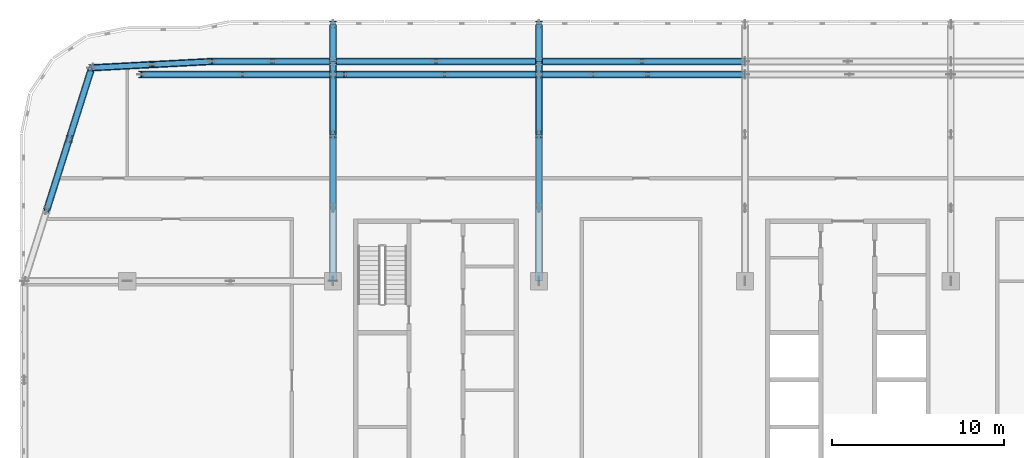
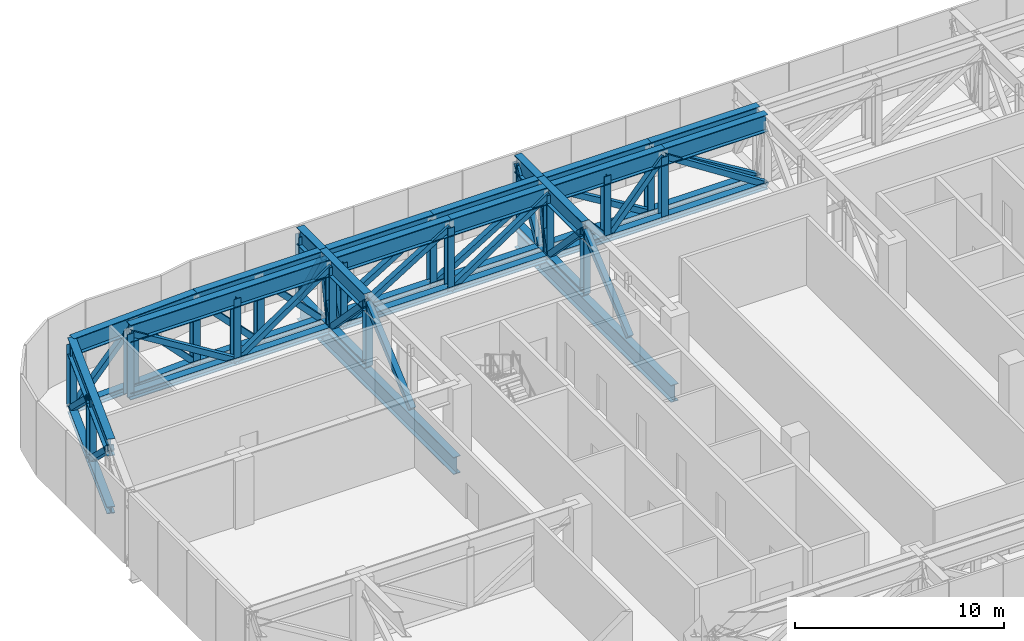
# One storey, part 7 of 29: 73 members, 4 beams.
"""IFC4 building model written with IfcOpenShell, lengths in metres."""

from ifc_helpers import new_model, si_unit, direction, frame, origin, origin_2d, place, context, subcontext, project, spatial, hollow_rectangle, i_section, extrude, material, material_profile, profile_set, type_object, element, save


model = new_model("IFC4")

# Units and contexts
model_context = context("Model", 3, precision=1e-05, world=origin(), true_north=direction((0.0, 1.0)))
body_context = subcontext(model_context, "Body", "Model", "MODEL_VIEW")
ifc_project = project(units=[si_unit("LENGTHUNIT", "METRE"), si_unit("AREAUNIT", "SQUARE_METRE"), si_unit("VOLUMEUNIT", "CUBIC_METRE"), si_unit("PLANEANGLEUNIT", "RADIAN"), si_unit("MASSUNIT", "GRAM", prefix="KILO")], contexts=[model_context])

# Site, building, storey
site_placement = place(None, origin())
site = spatial("IfcSite", under=ifc_project, at=site_placement, CompositionType="ELEMENT")
building_placement = place(site_placement, origin())
building = spatial("IfcBuilding", under=site, at=building_placement, Name="Mahtab Terrace Research Tower", CompositionType="ELEMENT")
storey_placement = place(building_placement, frame((0.0, 0.0, 259.0)))
storey = spatial("IfcBuildingStorey", under=building, at=storey_placement, Name="L63", CompositionType="ELEMENT", Elevation=259.0)

# Members
ifc_material_1 = material(Name="Steel ASTM A500 Gr C", Category="steel")
ifc_material_profile_1 = material_profile(ifc_material_1, hollow_rectangle(XDim=0.3046875, YDim=0.3046875, WallThickness=0.0126953125, at=origin_2d()), Name="HSS12X12X1/2")
ifc_profile_set_1 = profile_set([ifc_material_profile_1], Name="Steel ASTM A500 Gr C")
member_type_1 = type_object("IfcMemberType", Name="HSS 12x12x1/2 brace TD121212", PredefinedType="BRACE", material=ifc_profile_set_1)
member_1_placement = place(storey_placement, frame((-45.381103515625, 19.791015625, -0.19677734375), z_axis=(-0.23058559072, -0.729707765003, 0.643705571707), x_axis=(0.953525778361, -0.301311450165, 0.0)))
element("IfcMember", 1, at=member_1_placement, inside=storey, type_object=member_type_1, Name="Transfer truss T7 diagonal 009", PredefinedType="BRACE", context=body_context, shape_type="SweptSolid", body=[
    extrude(hollow_rectangle(XDim=0.3046875, YDim=0.3046875, WallThickness=0.0126953125, at=origin_2d()), origin(), (0.0, 0.0, 1.0), 5.680419921875),
])
member_2_placement = place(storey_placement, frame((-44.072021484375, 23.93701171875, -0.19677734375), z_axis=(-0.230434590717, -0.72980981342, 0.643643950983), x_axis=(0.953594545685, -0.301093743609, 0.0)))
element("IfcMember", 2, at=member_2_placement, inside=storey, type_object=member_type_1, Name="Transfer truss T7 diagonal 011", PredefinedType="BRACE", context=body_context, shape_type="SweptSolid", body=[
    extrude(hollow_rectangle(XDim=0.3046875, YDim=0.3046875, WallThickness=0.0126953125, at=origin_2d()), origin(), (0.0, 0.0, 1.0), 5.680908203125),
])
member_3_placement = place(storey_placement, frame((-35.260009765625, 23.5458984375, -0.19677734375), z_axis=(-0.849761419827, 0.0, 0.527167458568), x_axis=(0.0, -1.0, 0.0)))
element("IfcMember", 3, at=member_3_placement, inside=storey, type_object=member_type_1, Name="Transfer truss T7 diagonal 018", PredefinedType="BRACE", context=body_context, shape_type="SweptSolid", body=[
    extrude(hollow_rectangle(XDim=0.3046875, YDim=0.3046875, WallThickness=0.0126953125, at=origin_2d()), origin(), (0.0, 0.0, 1.0), 6.93603515625),
])
for number, where, z_axis, x_axis, name in (
    (4, (-44.072021484375, 23.93701171875, -0.19677734375), (0.691746481149, 0.036501485048, 0.721217337151), (-0.052693833754, 0.998610714886, 0.0), "Transfer truss T7 diagonal 020"),
    (5, (-37.05810546875, 24.306884765625, -0.19677734375), (-0.691722582841, -0.036454608411, 0.721242629018), (0.052628162958, -0.99861417798, 0.0), "Transfer truss T7 diagonal 021"),
):
    element("IfcMember", number, at=place(storey_placement, frame(where, z_axis=z_axis, x_axis=x_axis)), inside=storey, type_object=member_type_1, Name=name, PredefinedType="BRACE", context=body_context, shape_type="SweptSolid", body=[
        extrude(hollow_rectangle(XDim=0.3046875, YDim=0.3046875, WallThickness=0.0126953125, at=origin_2d()), origin(), (0.0, 0.0, 1.0), 5.06982421875),
    ])
member_4_placement = place(storey_placement, frame((-35.260009765625, 23.5458984375, -0.19677734375), z_axis=(0.821098573405, 0.0, 0.570786416054), x_axis=(0.0, 1.0, 0.0)))
element("IfcMember", 6, at=member_4_placement, inside=storey, type_object=member_type_1, Name="Transfer truss T7 diagonal 025", PredefinedType="BRACE", context=body_context, shape_type="SweptSolid", body=[
    extrude(hollow_rectangle(XDim=0.3046875, YDim=0.3046875, WallThickness=0.0126953125, at=origin_2d()), origin(), (0.0, 0.0, 1.0), 6.406005859375),
])
member_5_placement = place(storey_placement, frame((-33.529052734375, 24.306884765625, -0.19677734375), z_axis=(-0.694456463301, 0.0, 0.719534725068), x_axis=(0.0, -1.0, 0.0)))
element("IfcMember", 7, at=member_5_placement, inside=storey, type_object=member_type_1, Name="Transfer truss T7 diagonal 027", PredefinedType="BRACE", context=body_context, shape_type="SweptSolid", body=[
    extrude(hollow_rectangle(XDim=0.3046875, YDim=0.3046875, WallThickness=0.0126953125, at=origin_2d()), origin(), (0.0, 0.0, 1.0), 5.081787109375),
])
member_6_placement = place(storey_placement, frame((-30.0, 15.76904296875, -0.19677734375), z_axis=(0.0, 0.759492630748, 0.650515905908), x_axis=(-1.0, 0.0, 0.0)))
element("IfcMember", 8, at=member_6_placement, inside=storey, type_object=member_type_1, Name="Transfer truss T7 diagonal 033", PredefinedType="BRACE", context=body_context, shape_type="SweptSolid", body=[
    extrude(hollow_rectangle(XDim=0.3046875, YDim=0.3046875, WallThickness=0.0126953125, at=origin_2d()), origin(), (0.0, 0.0, 1.0), 5.620849609375),
])
member_7_placement = place(storey_placement, frame((-30.0, 23.5458984375, -0.19677734375), z_axis=(0.0, -0.692283052503, 0.721626063289), x_axis=(1.0, 0.0, 0.0)))
element("IfcMember", 9, at=member_7_placement, inside=storey, type_object=member_type_1, Name="Transfer truss T7 diagonal 034", PredefinedType="BRACE", context=body_context, shape_type="SweptSolid", body=[
    extrude(hollow_rectangle(XDim=0.3046875, YDim=0.3046875, WallThickness=0.0126953125, at=origin_2d()), origin(), (0.0, 0.0, 1.0), 5.067138671875),
])
member_8_placement = place(storey_placement, frame((-30.0, 23.5458984375, -0.19677734375), z_axis=(0.0, 0.203753250193, 0.979022274024), x_axis=(-1.0, 0.0, 0.0)))
element("IfcMember", 10, at=member_8_placement, inside=storey, type_object=member_type_1, Name="Transfer truss T7 diagonal 035", PredefinedType="BRACE", context=body_context, shape_type="SweptSolid", body=[
    extrude(hollow_rectangle(XDim=0.3046875, YDim=0.3046875, WallThickness=0.0126953125, at=origin_2d()), origin(), (0.0, 0.0, 1.0), 3.73486328125),
])
member_9_placement = place(storey_placement, frame((-29.365966796875, 23.5458984375, -0.19677734375), z_axis=(-0.170849740062, 0.0, 0.985297095459), x_axis=(0.0, -1.0, 0.0)))
element("IfcMember", 11, at=member_9_placement, inside=storey, type_object=member_type_1, Name="Transfer truss T7 diagonal 036", PredefinedType="BRACE", context=body_context, shape_type="SweptSolid", body=[
    extrude(hollow_rectangle(XDim=0.3046875, YDim=0.3046875, WallThickness=0.0126953125, at=origin_2d()), origin(), (0.0, 0.0, 1.0), 3.7109375),
])
member_10_placement = place(storey_placement, frame((-30.0, 24.306884765625, -0.19677734375), z_axis=(-0.694456463301, 0.0, 0.719534725068), x_axis=(0.0, -1.0, 0.0)))
element("IfcMember", 12, at=member_10_placement, inside=storey, type_object=member_type_1, Name="Transfer truss T7 diagonal 037", PredefinedType="BRACE", context=body_context, shape_type="SweptSolid", body=[
    extrude(hollow_rectangle(XDim=0.3046875, YDim=0.3046875, WallThickness=0.0126953125, at=origin_2d()), origin(), (0.0, 0.0, 1.0), 5.081787109375),
])
member_11_placement = place(storey_placement, frame((-30.0, 26.472900390625, -0.19677734375), z_axis=(0.0, -0.50966381265, 0.860373638645), x_axis=(1.0, 0.0, 0.0)))
element("IfcMember", 13, at=member_11_placement, inside=storey, type_object=member_type_1, Name="Transfer truss T7 diagonal 038", PredefinedType="BRACE", context=body_context, shape_type="SweptSolid", body=[
    extrude(hollow_rectangle(XDim=0.3046875, YDim=0.3046875, WallThickness=0.0126953125, at=origin_2d()), origin(), (0.0, 0.0, 1.0), 4.25),
])
member_12_placement = place(storey_placement, frame((-29.365966796875, 23.5458984375, -0.19677734375), z_axis=(0.849800540202, 0.0, 0.527104393714), x_axis=(0.0, 1.0, 0.0)))
element("IfcMember", 14, at=member_12_placement, inside=storey, type_object=member_type_1, Name="Transfer truss T7 diagonal 039", PredefinedType="BRACE", context=body_context, shape_type="SweptSolid", body=[
    extrude(hollow_rectangle(XDim=0.3046875, YDim=0.3046875, WallThickness=0.0126953125, at=origin_2d()), origin(), (0.0, 0.0, 1.0), 6.93701171875),
])
member_13_placement = place(storey_placement, frame((-30.0, 24.306884765625, -0.19677734375), z_axis=(0.853925355754, 0.0, 0.520395509974), x_axis=(0.0, 1.0, 0.0)))
element("IfcMember", 15, at=member_13_placement, inside=storey, type_object=member_type_1, Name="Transfer truss T7 diagonal 042", PredefinedType="BRACE", context=body_context, shape_type="SweptSolid", body=[
    extrude(hollow_rectangle(XDim=0.3046875, YDim=0.3046875, WallThickness=0.0126953125, at=origin_2d()), origin(), (0.0, 0.0, 1.0), 7.0263671875),
])
member_14_placement = place(storey_placement, frame((-23.470947265625, 23.5458984375, -0.19677734375), z_axis=(0.831404738695, 0.0, 0.555667310966), x_axis=(0.0, 1.0, 0.0)))
element("IfcMember", 16, at=member_14_placement, inside=storey, type_object=member_type_1, Name="Transfer truss T7 diagonal 043", PredefinedType="BRACE", context=body_context, shape_type="SweptSolid", body=[
    extrude(hollow_rectangle(XDim=0.3046875, YDim=0.3046875, WallThickness=0.0126953125, at=origin_2d()), origin(), (0.0, 0.0, 1.0), 6.580322265625),
])
member_15_placement = place(storey_placement, frame((-18.0, 15.76904296875, -0.19677734375), z_axis=(0.0, 0.759492630748, 0.650515905908), x_axis=(-1.0, 0.0, 0.0)))
element("IfcMember", 17, at=member_15_placement, inside=storey, type_object=member_type_1, Name="Transfer truss T7 diagonal 049", PredefinedType="BRACE", context=body_context, shape_type="SweptSolid", body=[
    extrude(hollow_rectangle(XDim=0.3046875, YDim=0.3046875, WallThickness=0.0126953125, at=origin_2d()), origin(), (0.0, 0.0, 1.0), 5.620849609375),
])
member_16_placement = place(storey_placement, frame((-18.0, 23.5458984375, -0.19677734375), z_axis=(0.0, -0.692283052503, 0.721626063289), x_axis=(1.0, 0.0, 0.0)))
element("IfcMember", 18, at=member_16_placement, inside=storey, type_object=member_type_1, Name="Transfer truss T7 diagonal 050", PredefinedType="BRACE", context=body_context, shape_type="SweptSolid", body=[
    extrude(hollow_rectangle(XDim=0.3046875, YDim=0.3046875, WallThickness=0.0126953125, at=origin_2d()), origin(), (0.0, 0.0, 1.0), 5.067138671875),
])
member_17_placement = place(storey_placement, frame((-18.0, 23.5458984375, -0.19677734375), z_axis=(0.0, 0.203753250193, 0.979022274024), x_axis=(-1.0, 0.0, 0.0)))
element("IfcMember", 19, at=member_17_placement, inside=storey, type_object=member_type_1, Name="Transfer truss T7 diagonal 051", PredefinedType="BRACE", context=body_context, shape_type="SweptSolid", body=[
    extrude(hollow_rectangle(XDim=0.3046875, YDim=0.3046875, WallThickness=0.0126953125, at=origin_2d()), origin(), (0.0, 0.0, 1.0), 3.73486328125),
])
member_18_placement = place(storey_placement, frame((-24.0, 24.306884765625, -0.19677734375), z_axis=(0.853925355754, 0.0, 0.520395509974), x_axis=(0.0, 1.0, 0.0)))
element("IfcMember", 20, at=member_18_placement, inside=storey, type_object=member_type_1, Name="Transfer truss T7 diagonal 052", PredefinedType="BRACE", context=body_context, shape_type="SweptSolid", body=[
    extrude(hollow_rectangle(XDim=0.3046875, YDim=0.3046875, WallThickness=0.0126953125, at=origin_2d()), origin(), (0.0, 0.0, 1.0), 7.0263671875),
])
member_19_placement = place(storey_placement, frame((-18.0, 24.306884765625, -0.19677734375), z_axis=(0.0, 0.50966381265, 0.860373638645), x_axis=(-1.0, 0.0, 0.0)))
element("IfcMember", 21, at=member_19_placement, inside=storey, type_object=member_type_1, Name="Transfer truss T7 diagonal 053", PredefinedType="BRACE", context=body_context, shape_type="SweptSolid", body=[
    extrude(hollow_rectangle(XDim=0.3046875, YDim=0.3046875, WallThickness=0.0126953125, at=origin_2d()), origin(), (0.0, 0.0, 1.0), 4.25),
])
for number, where, z_axis, x_axis, name in (
    (22, (-14.841552734375, 23.5458984375, -0.19677734375), (-0.653686960033, 0.0, 0.756765061484), (0.0, -1.0, 0.0), "Transfer truss T7 diagonal 054"),
    (23, (-14.841552734375, 23.5458984375, -0.19677734375), (0.653686960033, 0.0, 0.756765061484), (0.0, 1.0, 0.0), "Transfer truss T7 diagonal 055"),
):
    element("IfcMember", number, at=place(storey_placement, frame(where, z_axis=z_axis, x_axis=x_axis)), inside=storey, type_object=member_type_1, Name=name, PredefinedType="BRACE", context=body_context, shape_type="SweptSolid", body=[
        extrude(hollow_rectangle(XDim=0.3046875, YDim=0.3046875, WallThickness=0.0126953125, at=origin_2d()), origin(), (0.0, 0.0, 1.0), 4.831787109375),
    ])
member_20_placement = place(storey_placement, frame((-12.0, 24.306884765625, -0.19677734375), z_axis=(-0.853925355754, 0.0, 0.520395509974), x_axis=(0.0, -1.0, 0.0)))
element("IfcMember", 24, at=member_20_placement, inside=storey, type_object=member_type_1, Name="Transfer truss T7 diagonal 059", PredefinedType="BRACE", context=body_context, shape_type="SweptSolid", body=[
    extrude(hollow_rectangle(XDim=0.3046875, YDim=0.3046875, WallThickness=0.0126953125, at=origin_2d()), origin(), (0.0, 0.0, 1.0), 7.0263671875),
])
member_21_placement = place(storey_placement, frame((-6.0, 23.5458984375, -0.19677734375), z_axis=(-0.840971823089, 0.0, 0.541078915474), x_axis=(0.0, -1.0, 0.0)))
element("IfcMember", 25, at=member_21_placement, inside=storey, type_object=member_type_1, Name="Transfer truss T7 diagonal 060", PredefinedType="BRACE", context=body_context, shape_type="SweptSolid", body=[
    extrude(hollow_rectangle(XDim=0.3046875, YDim=0.3046875, WallThickness=0.0126953125, at=origin_2d()), origin(), (0.0, 0.0, 1.0), 6.7578125),
])
member_22_placement = place(storey_placement, frame((-6.0, 24.306884765625, -0.19677734375), z_axis=(-0.853925355754, 0.0, 0.520395509974), x_axis=(0.0, -1.0, 0.0)))
element("IfcMember", 26, at=member_22_placement, inside=storey, type_object=member_type_1, Name="Transfer truss T7 diagonal 069", PredefinedType="BRACE", context=body_context, shape_type="SweptSolid", body=[
    extrude(hollow_rectangle(XDim=0.3046875, YDim=0.3046875, WallThickness=0.0126953125, at=origin_2d()), origin(), (0.0, 0.0, 1.0), 7.0263671875),
])
ifc_material_2 = material(Name="Steel ASTM A992 Gr 50", Category="steel")
ifc_material_profile_2 = material_profile(ifc_material_2, i_section(OverallWidth=0.373291015625, OverallDepth=0.373291015625, WebThickness=0.016357421875, FlangeThickness=0.026123046875, at=origin_2d()), Name="W14X132")
ifc_profile_set_2 = profile_set([ifc_material_profile_2], Name="Steel ASTM A992 Gr 50")
member_type_2 = type_object("IfcMemberType", Name="W14x132 post TP14132", PredefinedType="POST", material=ifc_profile_set_2)
for number, where, z_axis, x_axis, name in (
    (27, (-45.3798828125, 19.7900390625, -0.19677734375), (0.0, 0.0, 1.0), (1.0, 0.0, 0.0), "Transfer truss T7 post 007"),
    (28, (-44.070068359375, 23.93994140625, -0.19677734375), (0.0, 0.0, 1.0), (1.0, 0.0, 0.0), "Transfer truss T7 post 009"),
    (29, (-41.14990234375, 23.550048828125, -0.19677734375), (0.0, 0.0, 1.0), (1.0, 0.0, 0.0), "Transfer truss T7 post 015"),
    (30, (-40.56005859375, 24.1201171875, -0.19677734375), (0.0, 0.0, 1.0), (1.0, 0.0, 0.0), "Transfer truss T7 post 017"),
    (31, (-37.06005859375, 24.31005859375, -0.19677734375), (0.0, 0.0, 1.0), (1.0, 0.0, 0.0), "Transfer truss T7 post 018"),
    (32, (-35.260009765625, 23.550048828125, -0.19677734375), (0.0, 0.0, 1.0), (1.0, 0.0, 0.0), "Transfer truss T7 post 022"),
    (33, (-33.530029296875, 24.31005859375, -0.19677734375), (0.0, 0.0, 1.0), (1.0, 0.0, 0.0), "Transfer truss T7 post 024"),
    (34, (-30.0, 20.0400390625, -0.19677734375), (0.0, 0.0, 1.0), (1.0, 0.0, 0.0), "Transfer truss T7 post 031"),
    (35, (-30.0, 23.550048828125, -0.19677734375), (0.0, 0.0, 1.0), (1.0, 0.0, 0.0), "Transfer truss T7 post 032"),
    (36, (-30.0, 26.469970703125, -0.19677734375), (0.0, 0.0, 1.0), (1.0, 0.0, 0.0), "Transfer truss T7 post 034"),
    (37, (-29.3701171875, 23.550048828125, -0.19677734375), (0.0, 0.0, 1.0), (1.0, 0.0, 0.0), "Transfer truss T7 post 035"),
    (38, (-24.0, 24.31005859375, -0.19677734375), (0.0, 0.0, 1.0), (1.0, 0.0, 0.0), "Transfer truss T7 post 038"),
    (39, (-23.469970703125, 23.550048828125, -0.19677734375), (0.0, 0.0, 1.0), (1.0, 0.0, 0.0), "Transfer truss T7 post 039"),
    (40, (-18.0, 20.0400390625, -0.19677734375), (0.0, 0.0, 1.0), (1.0, 0.0, 0.0), "Transfer truss T7 post 046"),
    (41, (-18.0, 23.550048828125, -0.19677734375), (0.0, 0.0, 1.0), (1.0, 0.0, 0.0), "Transfer truss T7 post 047"),
    (42, (-18.0, 26.469970703125, -0.19677734375), (0.0, 0.0, 1.0), (1.0, 0.0, 0.0), "Transfer truss T7 post 049"),
    (43, (-14.840087890625, 23.550048828125, -0.19677734375), (0.0, 0.0, 1.0), (1.0, 0.0, 0.0), "Transfer truss T7 post 050"),
    (44, (-12.0, 24.31005859375, -0.19677734375), (0.0, 0.0, 1.0), (1.0, 0.0, 0.0), "Transfer truss T7 post 053"),
    (45, (-11.679931640625, 23.550048828125, -0.19677734375), (0.0, 0.0, 1.0), (1.0, 0.0, 0.0), "Transfer truss T7 post 054"),
):
    element("IfcMember", number, at=place(storey_placement, frame(where, z_axis=z_axis, x_axis=x_axis)), inside=storey, type_object=member_type_2, Name=name, PredefinedType="POST", context=body_context, shape_type="SweptSolid", body=[
        extrude(i_section(OverallWidth=0.373291015625, OverallDepth=0.373291015625, WebThickness=0.016357421875, FlangeThickness=0.026123046875, at=origin_2d()), origin(), (0.0, 0.0, 1.0), 3.656494140625),
    ])
ifc_material_profile_3 = material_profile(ifc_material_2, i_section(OverallWidth=0.40380859375, OverallDepth=0.406494140625, WebThickness=0.027099609375, FlangeThickness=0.043701171875, at=origin_2d()), Name="W14X233")
ifc_profile_set_3 = profile_set([ifc_material_profile_3], Name="Steel ASTM A992 Gr 50")
member_type_3 = type_object("IfcMemberType", Name="W14x233 chord TC14233", PredefinedType="CHORD", material=ifc_profile_set_3)
member_23_placement = place(storey_placement, frame((-44.072021484375, 23.93701171875, -0.19677734375), z_axis=(-0.301202589953, -0.953560171046, 0.0), x_axis=(0.953560171046, -0.301202589953, 0.0)))
element("IfcMember", 46, at=member_23_placement, inside=storey, type_object=member_type_3, Name="Transfer truss T7 bottom chord 007", PredefinedType="CHORD", context=body_context, shape_type="SweptSolid", body=[
    extrude(i_section(OverallWidth=0.40380859375, OverallDepth=0.406494140625, WebThickness=0.027099609375, FlangeThickness=0.043701171875, at=origin_2d()), origin(), (0.0, 0.0, 1.0), 8.69482421875),
])
for number, where, z_axis, x_axis, name in (
    (47, (-6.0, 24.306884765625, -0.19677734375), (-1.0, 0.0, 0.0), (0.0, -1.0, 0.0), "Transfer truss T7 bottom chord 014"),
    (48, (-18.0, 24.306884765625, -0.19677734375), (-1.0, 0.0, 0.0), (0.0, -1.0, 0.0), "Transfer truss T7 bottom chord 015"),
):
    element("IfcMember", number, at=place(storey_placement, frame(where, z_axis=z_axis, x_axis=x_axis)), inside=storey, type_object=member_type_3, Name=name, PredefinedType="CHORD", context=body_context, shape_type="SweptSolid", body=[
        extrude(i_section(OverallWidth=0.40380859375, OverallDepth=0.406494140625, WebThickness=0.027099609375, FlangeThickness=0.043701171875, at=origin_2d()), origin(), (0.0, 0.0, 1.0), 12.0),
    ])
member_24_placement = place(storey_placement, frame((-30.0, 24.306884765625, -0.19677734375), z_axis=(-1.0, 0.0, 0.0), x_axis=(0.0, -1.0, 0.0)))
element("IfcMember", 49, at=member_24_placement, inside=storey, type_object=member_type_3, Name="Transfer truss T7 bottom chord 016", PredefinedType="CHORD", context=body_context, shape_type="SweptSolid", body=[
    extrude(i_section(OverallWidth=0.40380859375, OverallDepth=0.406494140625, WebThickness=0.027099609375, FlangeThickness=0.043701171875, at=origin_2d()), origin(), (0.0, 0.0, 1.0), 7.05810546875),
])
member_25_placement = place(storey_placement, frame((-37.05810546875, 24.306884765625, -0.19677734375), z_axis=(-0.99861244691, -0.052660999585, 0.0), x_axis=(0.052660999585, -0.99861244691, 0.0)))
element("IfcMember", 50, at=member_25_placement, inside=storey, type_object=member_type_3, Name="Transfer truss T7 bottom chord 017", PredefinedType="CHORD", context=body_context, shape_type="SweptSolid", body=[
    extrude(i_section(OverallWidth=0.40380859375, OverallDepth=0.406494140625, WebThickness=0.027099609375, FlangeThickness=0.043701171875, at=origin_2d()), origin(), (0.0, 0.0, 1.0), 7.023681640625),
])
member_26_placement = place(storey_placement, frame((-41.154052734375, 23.5458984375, -0.19677734375), z_axis=(1.0, 0.0, 0.0), x_axis=(0.0, 1.0, 0.0)))
element("IfcMember", 51, at=member_26_placement, inside=storey, type_object=member_type_3, Name="Transfer truss T7 bottom chord 027", PredefinedType="CHORD", context=body_context, shape_type="SweptSolid", body=[
    extrude(i_section(OverallWidth=0.40380859375, OverallDepth=0.406494140625, WebThickness=0.027099609375, FlangeThickness=0.043701171875, at=origin_2d()), origin(), (0.0, 0.0, 1.0), 11.7880859375),
])
member_27_placement = place(storey_placement, frame((-29.365966796875, 23.5458984375, -0.19677734375), z_axis=(1.0, 0.0, 0.0), x_axis=(0.0, 1.0, 0.0)))
element("IfcMember", 52, at=member_27_placement, inside=storey, type_object=member_type_3, Name="Transfer truss T7 bottom chord 028", PredefinedType="CHORD", context=body_context, shape_type="SweptSolid", body=[
    extrude(i_section(OverallWidth=0.40380859375, OverallDepth=0.406494140625, WebThickness=0.027099609375, FlangeThickness=0.043701171875, at=origin_2d()), origin(), (0.0, 0.0, 1.0), 11.365966796875),
])
member_28_placement = place(storey_placement, frame((-18.0, 23.5458984375, -0.19677734375), z_axis=(1.0, 0.0, 0.0), x_axis=(0.0, 1.0, 0.0)))
element("IfcMember", 53, at=member_28_placement, inside=storey, type_object=member_type_3, Name="Transfer truss T7 bottom chord 029", PredefinedType="CHORD", context=body_context, shape_type="SweptSolid", body=[
    extrude(i_section(OverallWidth=0.40380859375, OverallDepth=0.406494140625, WebThickness=0.027099609375, FlangeThickness=0.043701171875, at=origin_2d()), origin(), (0.0, 0.0, 1.0), 12.0),
])
member_29_placement = place(storey_placement, frame((-30.0, 20.0380859375, -0.19677734375), z_axis=(0.0, 1.0, 0.0), x_axis=(-1.0, 0.0, 0.0)))
element("IfcMember", 54, at=member_29_placement, inside=storey, type_object=member_type_3, Name="Transfer truss T7 bottom chord 047", PredefinedType="CHORD", context=body_context, shape_type="SweptSolid", body=[
    extrude(i_section(OverallWidth=0.40380859375, OverallDepth=0.406494140625, WebThickness=0.027099609375, FlangeThickness=0.043701171875, at=origin_2d()), origin(), (0.0, 0.0, 1.0), 4.268798828125),
])
member_30_placement = place(storey_placement, frame((-30.0, 24.306884765625, -0.19677734375), z_axis=(0.0, 1.0, 0.0), x_axis=(-1.0, 0.0, 0.0)))
element("IfcMember", 55, at=member_30_placement, inside=storey, type_object=member_type_3, Name="Transfer truss T7 bottom chord 048", PredefinedType="CHORD", context=body_context, shape_type="SweptSolid", body=[
    extrude(i_section(OverallWidth=0.40380859375, OverallDepth=0.406494140625, WebThickness=0.027099609375, FlangeThickness=0.043701171875, at=origin_2d()), origin(), (0.0, 0.0, 1.0), 2.166015625),
])
member_31_placement = place(storey_placement, frame((-18.0, 20.0380859375, -0.19677734375), z_axis=(0.0, 1.0, 0.0), x_axis=(-1.0, 0.0, 0.0)))
element("IfcMember", 56, at=member_31_placement, inside=storey, type_object=member_type_3, Name="Transfer truss T7 bottom chord 052", PredefinedType="CHORD", context=body_context, shape_type="SweptSolid", body=[
    extrude(i_section(OverallWidth=0.40380859375, OverallDepth=0.406494140625, WebThickness=0.027099609375, FlangeThickness=0.043701171875, at=origin_2d()), origin(), (0.0, 0.0, 1.0), 4.268798828125),
])
member_32_placement = place(storey_placement, frame((-18.0, 24.306884765625, -0.19677734375), z_axis=(0.0, 1.0, 0.0), x_axis=(-1.0, 0.0, 0.0)))
element("IfcMember", 57, at=member_32_placement, inside=storey, type_object=member_type_3, Name="Transfer truss T7 bottom chord 053", PredefinedType="CHORD", context=body_context, shape_type="SweptSolid", body=[
    extrude(i_section(OverallWidth=0.40380859375, OverallDepth=0.406494140625, WebThickness=0.027099609375, FlangeThickness=0.043701171875, at=origin_2d()), origin(), (0.0, 0.0, 1.0), 2.166015625),
])
ifc_material_profile_4 = material_profile(ifc_material_2, i_section(OverallWidth=0.4013671875, OverallDepth=1.000732421875, WebThickness=0.01904296875, FlangeThickness=0.0361328125, at=origin_2d()), Name="W40X249")
ifc_profile_set_4 = profile_set([ifc_material_profile_4], Name="Steel ASTM A992 Gr 50")
member_type_4 = type_object("IfcMemberType", Name="W40x249 chord TT40249", PredefinedType="CHORD", material=ifc_profile_set_4)
member_33_placement = place(storey_placement, frame((-44.072021484375, 23.93701171875, 3.459716796875), z_axis=(-0.301202589953, -0.953560171046, 0.0), x_axis=(0.953560171046, -0.301202589953, 0.0)))
element("IfcMember", 58, at=member_33_placement, inside=storey, type_object=member_type_4, Name="Transfer truss T7 top chord 009", PredefinedType="CHORD", context=body_context, shape_type="SweptSolid", body=[
    extrude(i_section(OverallWidth=0.4013671875, OverallDepth=1.000732421875, WebThickness=0.01904296875, FlangeThickness=0.0361328125, at=origin_2d()), origin(), (0.0, 0.0, 1.0), 8.69482421875),
])
for number, where, z_axis, x_axis, name in (
    (59, (-6.0, 24.306884765625, 3.459716796875), (-1.0, 0.0, 0.0), (0.0, -1.0, 0.0), "Transfer truss T7 top chord 020"),
    (60, (-12.0, 24.306884765625, 3.459716796875), (-1.0, 0.0, 0.0), (0.0, -1.0, 0.0), "Transfer truss T7 top chord 021"),
    (61, (-18.0, 24.306884765625, 3.459716796875), (-1.0, 0.0, 0.0), (0.0, -1.0, 0.0), "Transfer truss T7 top chord 022"),
    (62, (-24.0, 24.306884765625, 3.459716796875), (-1.0, 0.0, 0.0), (0.0, -1.0, 0.0), "Transfer truss T7 top chord 023"),
):
    element("IfcMember", number, at=place(storey_placement, frame(where, z_axis=z_axis, x_axis=x_axis)), inside=storey, type_object=member_type_4, Name=name, PredefinedType="CHORD", context=body_context, shape_type="SweptSolid", body=[
        extrude(i_section(OverallWidth=0.4013671875, OverallDepth=1.000732421875, WebThickness=0.01904296875, FlangeThickness=0.0361328125, at=origin_2d()), origin(), (0.0, 0.0, 1.0), 6.0),
    ])
member_34_placement = place(storey_placement, frame((-30.0, 24.306884765625, 3.459716796875), z_axis=(-1.0, 0.0, 0.0), x_axis=(0.0, -1.0, 0.0)))
element("IfcMember", 63, at=member_34_placement, inside=storey, type_object=member_type_4, Name="Transfer truss T7 top chord 024", PredefinedType="CHORD", context=body_context, shape_type="SweptSolid", body=[
    extrude(i_section(OverallWidth=0.4013671875, OverallDepth=1.000732421875, WebThickness=0.01904296875, FlangeThickness=0.0361328125, at=origin_2d()), origin(), (0.0, 0.0, 1.0), 7.05810546875),
])
member_35_placement = place(storey_placement, frame((-37.05810546875, 24.306884765625, 3.459716796875), z_axis=(-0.99861244691, -0.052660999585, 0.0), x_axis=(0.052660999585, -0.99861244691, 0.0)))
element("IfcMember", 64, at=member_35_placement, inside=storey, type_object=member_type_4, Name="Transfer truss T7 top chord 025", PredefinedType="CHORD", context=body_context, shape_type="SweptSolid", body=[
    extrude(i_section(OverallWidth=0.4013671875, OverallDepth=1.000732421875, WebThickness=0.01904296875, FlangeThickness=0.0361328125, at=origin_2d()), origin(), (0.0, 0.0, 1.0), 7.023681640625),
])
member_36_placement = place(storey_placement, frame((-41.154052734375, 23.5458984375, 3.459716796875), z_axis=(1.0, 0.0, 0.0), x_axis=(0.0, 1.0, 0.0)))
element("IfcMember", 65, at=member_36_placement, inside=storey, type_object=member_type_4, Name="Transfer truss T7 top chord 042", PredefinedType="CHORD", context=body_context, shape_type="SweptSolid", body=[
    extrude(i_section(OverallWidth=0.4013671875, OverallDepth=1.000732421875, WebThickness=0.01904296875, FlangeThickness=0.0361328125, at=origin_2d()), origin(), (0.0, 0.0, 1.0), 11.154052734375),
])
member_37_placement = place(storey_placement, frame((-30.0, 23.5458984375, 3.459716796875), z_axis=(1.0, 0.0, 0.0), x_axis=(0.0, 1.0, 0.0)))
element("IfcMember", 66, at=member_37_placement, inside=storey, type_object=member_type_4, Name="Transfer truss T7 top chord 043", PredefinedType="CHORD", context=body_context, shape_type="SweptSolid", body=[
    extrude(i_section(OverallWidth=0.4013671875, OverallDepth=1.000732421875, WebThickness=0.01904296875, FlangeThickness=0.0361328125, at=origin_2d()), origin(), (0.0, 0.0, 1.0), 6.529052734375),
])
member_38_placement = place(storey_placement, frame((-23.470947265625, 23.5458984375, 3.459716796875), z_axis=(1.0, 0.0, 0.0), x_axis=(0.0, 1.0, 0.0)))
element("IfcMember", 67, at=member_38_placement, inside=storey, type_object=member_type_4, Name="Transfer truss T7 top chord 044", PredefinedType="CHORD", context=body_context, shape_type="SweptSolid", body=[
    extrude(i_section(OverallWidth=0.4013671875, OverallDepth=1.000732421875, WebThickness=0.01904296875, FlangeThickness=0.0361328125, at=origin_2d()), origin(), (0.0, 0.0, 1.0), 5.470947265625),
])
member_39_placement = place(storey_placement, frame((-18.0, 23.5458984375, 3.459716796875), z_axis=(1.0, 0.0, 0.0), x_axis=(0.0, 1.0, 0.0)))
element("IfcMember", 68, at=member_39_placement, inside=storey, type_object=member_type_4, Name="Transfer truss T7 top chord 045", PredefinedType="CHORD", context=body_context, shape_type="SweptSolid", body=[
    extrude(i_section(OverallWidth=0.4013671875, OverallDepth=1.000732421875, WebThickness=0.01904296875, FlangeThickness=0.0361328125, at=origin_2d()), origin(), (0.0, 0.0, 1.0), 6.31689453125),
])
member_40_placement = place(storey_placement, frame((-11.68310546875, 23.5458984375, 3.459716796875), z_axis=(1.0, 0.0, 0.0), x_axis=(0.0, 1.0, 0.0)))
element("IfcMember", 69, at=member_40_placement, inside=storey, type_object=member_type_4, Name="Transfer truss T7 top chord 046", PredefinedType="CHORD", context=body_context, shape_type="SweptSolid", body=[
    extrude(i_section(OverallWidth=0.4013671875, OverallDepth=1.000732421875, WebThickness=0.01904296875, FlangeThickness=0.0361328125, at=origin_2d()), origin(), (0.0, 0.0, 1.0), 5.68310546875),
])
member_41_placement = place(storey_placement, frame((-30.0, 20.0380859375, 3.459716796875), z_axis=(0.0, 1.0, 0.0), x_axis=(-1.0, 0.0, 0.0)))
element("IfcMember", 70, at=member_41_placement, inside=storey, type_object=member_type_4, Name="Transfer truss T7 top chord 073", PredefinedType="CHORD", context=body_context, shape_type="SweptSolid", body=[
    extrude(i_section(OverallWidth=0.4013671875, OverallDepth=1.000732421875, WebThickness=0.01904296875, FlangeThickness=0.0361328125, at=origin_2d()), origin(), (0.0, 0.0, 1.0), 4.268798828125),
])
member_42_placement = place(storey_placement, frame((-30.0, 24.306884765625, 3.459716796875), z_axis=(0.0, 1.0, 0.0), x_axis=(-1.0, 0.0, 0.0)))
element("IfcMember", 71, at=member_42_placement, inside=storey, type_object=member_type_4, Name="Transfer truss T7 top chord 074", PredefinedType="CHORD", context=body_context, shape_type="SweptSolid", body=[
    extrude(i_section(OverallWidth=0.4013671875, OverallDepth=1.000732421875, WebThickness=0.01904296875, FlangeThickness=0.0361328125, at=origin_2d()), origin(), (0.0, 0.0, 1.0), 2.166015625),
])
member_43_placement = place(storey_placement, frame((-18.0, 20.0380859375, 3.459716796875), z_axis=(0.0, 1.0, 0.0), x_axis=(-1.0, 0.0, 0.0)))
element("IfcMember", 72, at=member_43_placement, inside=storey, type_object=member_type_4, Name="Transfer truss T7 top chord 078", PredefinedType="CHORD", context=body_context, shape_type="SweptSolid", body=[
    extrude(i_section(OverallWidth=0.4013671875, OverallDepth=1.000732421875, WebThickness=0.01904296875, FlangeThickness=0.0361328125, at=origin_2d()), origin(), (0.0, 0.0, 1.0), 4.268798828125),
])
member_44_placement = place(storey_placement, frame((-18.0, 24.306884765625, 3.459716796875), z_axis=(0.0, 1.0, 0.0), x_axis=(-1.0, 0.0, 0.0)))
element("IfcMember", 73, at=member_44_placement, inside=storey, type_object=member_type_4, Name="Transfer truss T7 top chord 079", PredefinedType="CHORD", context=body_context, shape_type="SweptSolid", body=[
    extrude(i_section(OverallWidth=0.4013671875, OverallDepth=1.000732421875, WebThickness=0.01904296875, FlangeThickness=0.0361328125, at=origin_2d()), origin(), (0.0, 0.0, 1.0), 2.166015625),
])

# Beams
ifc_material_profile_5 = material_profile(ifc_material_2, i_section(OverallWidth=0.4013671875, OverallDepth=1.000732421875, WebThickness=0.01904296875, FlangeThickness=0.0361328125, at=origin_2d()), Name="W40X249")
ifc_profile_set_5 = profile_set([ifc_material_profile_5], Name="Steel ASTM A992 Gr 50")
beam_type = type_object("IfcBeamType", Name="W40x249 transfer girder TG40249", PredefinedType="BEAM", material=ifc_profile_set_5)
beam_1_placement = place(storey_placement, frame((-18.0, 11.5, -0.8984375), z_axis=(0.0, 1.0, 0.0), x_axis=(-1.0, 0.0, 0.0)))
element("IfcBeam", 74, at=beam_1_placement, inside=storey, type_object=beam_type, Name="Transfer girder T7 11", PredefinedType="BEAM", context=body_context, shape_type="SweptSolid", body=[
    extrude(i_section(OverallWidth=0.4013671875, OverallDepth=1.000732421875, WebThickness=0.01904296875, FlangeThickness=0.0361328125, at=origin_2d()), origin(), (0.0, 0.0, 1.0), 12.806884765625),
])
beam_2_placement = place(storey_placement, frame((-18.0, 24.306884765625, -0.8984375), z_axis=(0.0, 1.0, 0.0), x_axis=(-1.0, 0.0, 0.0)))
element("IfcBeam", 75, at=beam_2_placement, inside=storey, type_object=beam_type, Name="Transfer girder T7 12", PredefinedType="BEAM", context=body_context, shape_type="SweptSolid", body=[
    extrude(i_section(OverallWidth=0.4013671875, OverallDepth=1.000732421875, WebThickness=0.01904296875, FlangeThickness=0.0361328125, at=origin_2d()), origin(), (0.0, 0.0, 1.0), 2.166015625),
])
beam_3_placement = place(storey_placement, frame((-30.0, 11.5, -0.8984375), z_axis=(0.0, 1.0, 0.0), x_axis=(-1.0, 0.0, 0.0)))
element("IfcBeam", 76, at=beam_3_placement, inside=storey, type_object=beam_type, Name="Transfer girder T7 13", PredefinedType="BEAM", context=body_context, shape_type="SweptSolid", body=[
    extrude(i_section(OverallWidth=0.4013671875, OverallDepth=1.000732421875, WebThickness=0.01904296875, FlangeThickness=0.0361328125, at=origin_2d()), origin(), (0.0, 0.0, 1.0), 12.806884765625),
])
beam_4_placement = place(storey_placement, frame((-30.0, 24.306884765625, -0.8984375), z_axis=(0.0, 1.0, 0.0), x_axis=(-1.0, 0.0, 0.0)))
element("IfcBeam", 77, at=beam_4_placement, inside=storey, type_object=beam_type, Name="Transfer girder T7 14", PredefinedType="BEAM", context=body_context, shape_type="SweptSolid", body=[
    extrude(i_section(OverallWidth=0.4013671875, OverallDepth=1.000732421875, WebThickness=0.01904296875, FlangeThickness=0.0361328125, at=origin_2d()), origin(), (0.0, 0.0, 1.0), 2.166015625),
])

save(model, "model.ifc")
